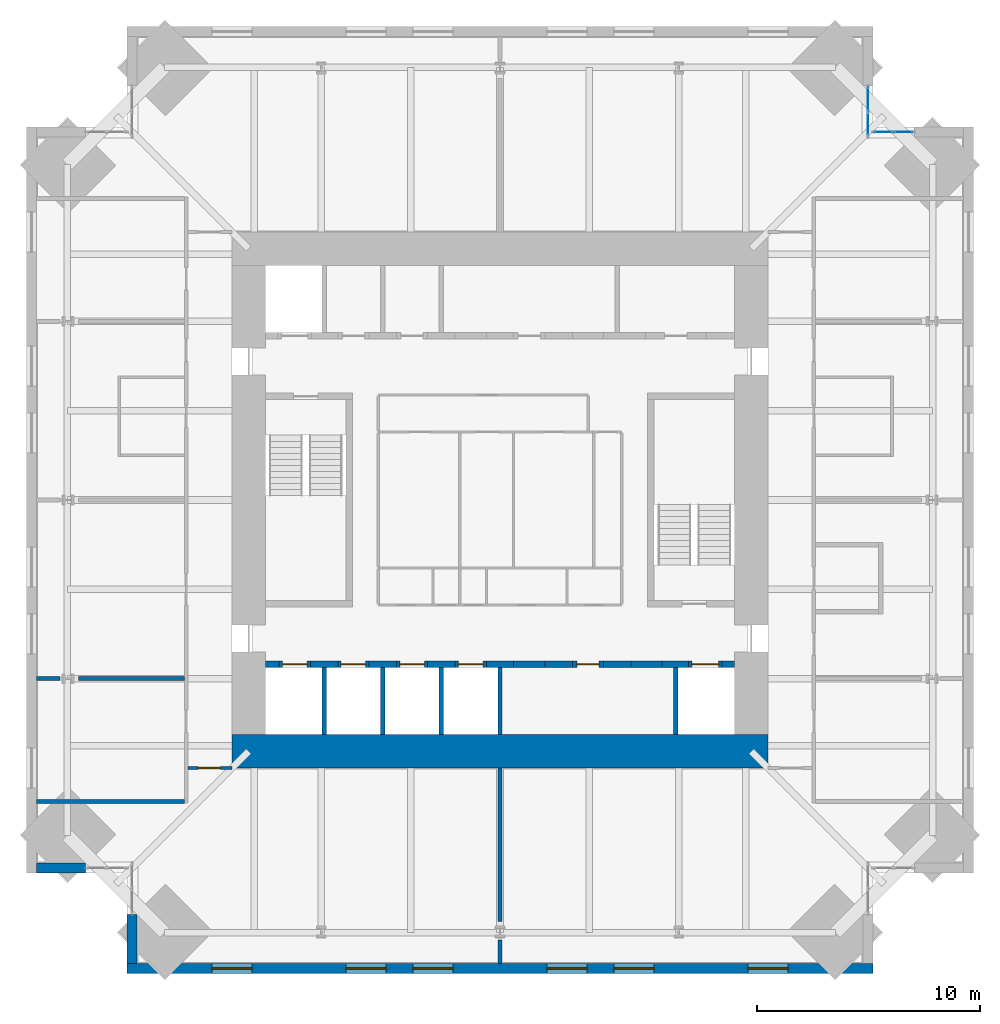
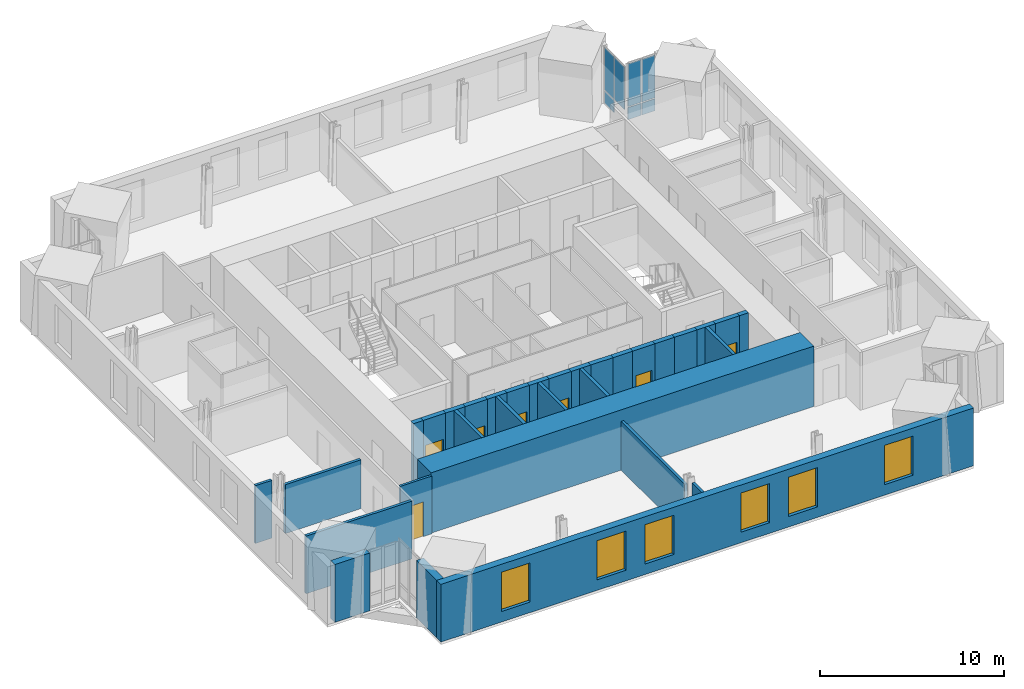
# One storey, part 10 of 15: 32 walls, 7 doors, 7 plates, 6 windows, 13 openings, 2 elements without a shape of their own.
"""IFC4 building model written with IfcOpenShell, lengths in metres."""

import ifcopenshell
import ifcopenshell.guid

model = None  # the IFC model being written
_history = None  # IfcOwnerHistory: only IFC2X3 demands one
_inside = {}  # id of a spatial element -> (the spatial element, [elements in it])
_under = {}  # id of a project, library or spatial element -> (it, [spatial elements below it])
_declared = {}  # id of a project -> (the project, [libraries it declares])
_typed = {}  # id of a type object -> (the type object, [elements of that type])
_made_of = {}  # id of a material, layer set ... -> (it, [elements and type objects made of it])


def new_model(schema):
    """Start an empty IFC model of exactly this schema.

    Asked for "IFC4X3", IfcOpenShell would pick the latest addendum, in which some entities
    have other attributes; the version numbers below select the first issue.
    IFC2X3 requires an IfcOwnerHistory on every rooted entity: one is made here for all.
    """
    global model, _history
    if schema == "IFC4X3":
        model = ifcopenshell.file(schema_version=(4, 3, 0, 0))
    else:
        model = ifcopenshell.file(schema=schema)
    _inside.clear()
    _under.clear()
    _declared.clear()
    _typed.clear()
    _made_of.clear()
    _history = None
    if model.schema == "IFC2X3":
        org = make("IfcOrganization", Name="unknown")
        user = make(
            "IfcPersonAndOrganization",
            ThePerson=make("IfcPerson", FamilyName="unknown"),
            TheOrganization=org,
        )
        app = make(
            "IfcApplication",
            ApplicationDeveloper=org,
            Version="unknown",
            ApplicationFullName="unknown",
            ApplicationIdentifier="unknown",
        )
        _history = make(
            "IfcOwnerHistory",
            OwningUser=user,
            OwningApplication=app,
            ChangeAction="ADDED",
            CreationDate=0,
        )
    return model


def make(cls, **values):
    """One entity of the class cls with the attributes given. An attribute that is None is left unset."""
    return model.create_entity(
        cls, **{name: value for name, value in values.items() if value is not None}
    )


def rooted(cls, **values):
    """An entity with a GlobalId (a new one), such as an element, a storey or a relation."""
    return make(cls, GlobalId=ifcopenshell.guid.new(), OwnerHistory=_history, **values)


def si_unit(unit_type, name, prefix=None):
    """IfcSIUnit, for example si_unit("LENGTHUNIT", "METRE", prefix="MILLI")."""
    return make("IfcSIUnit", UnitType=unit_type, Prefix=prefix, Name=name)


def assignment(units):
    """IfcUnitAssignment: the units of a project."""
    return None if units is None else make("IfcUnitAssignment", Units=units)


def point(xyz):
    """IfcCartesianPoint."""
    return None if xyz is None else make("IfcCartesianPoint", Coordinates=xyz)


def direction(xyz):
    """IfcDirection."""
    return None if xyz is None else make("IfcDirection", DirectionRatios=xyz)


def frame(location, z_axis=None, x_axis=None):
    """IfcAxis2Placement3D, a coordinate frame: its origin and axes. An axis left out is left unset."""
    return make(
        "IfcAxis2Placement3D",
        Location=point(location),
        Axis=direction(z_axis),
        RefDirection=direction(x_axis),
    )


def frame_2d(location, x_axis=None):
    """IfcAxis2Placement2D, a coordinate frame in the plane: its origin and x axis."""
    return make(
        "IfcAxis2Placement2D", Location=point(location), RefDirection=direction(x_axis)
    )


def origin():
    """The frame at (0, 0, 0) with its axes left unset."""
    return frame((0.0, 0.0, 0.0))


def origin_2d():
    """The frame at (0, 0) in the plane with its x axis left unset."""
    return frame_2d((0.0, 0.0))


def place(relative_to, where):
    """IfcLocalPlacement: puts the frame where relative to a parent placement (None: the world)."""
    return make(
        "IfcLocalPlacement", PlacementRelTo=relative_to, RelativePlacement=where
    )


def context(
    kind, dimensions, precision=None, world=None, true_north=None, identifier=None
):
    """IfcGeometricRepresentationContext, for example the 3D "Model" context."""
    return make(
        "IfcGeometricRepresentationContext",
        ContextIdentifier=identifier,
        ContextType=kind,
        CoordinateSpaceDimension=dimensions,
        Precision=precision,
        WorldCoordinateSystem=world,
        TrueNorth=true_north,
    )


def subcontext(parent, identifier, kind, view, scale=None):
    """IfcGeometricRepresentationSubContext, for example "Body" below "Model"."""
    return make(
        "IfcGeometricRepresentationSubContext",
        ContextIdentifier=identifier,
        ContextType=kind,
        ParentContext=parent,
        TargetScale=scale,
        TargetView=view,
    )


def project(units=None, contexts=None):
    """IfcProject with its units and contexts."""
    return rooted(
        "IfcProject",
        Name="project",
        RepresentationContexts=contexts,
        UnitsInContext=assignment(units),
    )


def spatial(cls, under=None, at=None, **own):
    """A site, building, storey or space (cls), placed at a placement, below another one or the project."""
    s = rooted(cls, ObjectPlacement=at, **own)
    if under is not None:
        _under.setdefault(under.id(), (under, []))[1].append(s)
    return s


def profile(cls, at=None, kind="AREA", **sizes):
    """A parametric profile (cls). Its sizes go by their IFC names, for example OverallWidth=200.0."""
    return make(cls, ProfileType=kind, Position=at, **sizes)


def rectangle(**sizes):
    """IfcRectangleProfileDef."""
    return profile("IfcRectangleProfileDef", **sizes)


def extrude(swept, where, along, depth):
    """IfcExtrudedAreaSolid: the profile swept, set in the frame where, extruded along a direction by depth."""
    return make(
        "IfcExtrudedAreaSolid",
        SweptArea=swept,
        Position=where,
        ExtrudedDirection=direction(along),
        Depth=depth,
    )


def shape(context_of_items, identifier, shape_type, items):
    """IfcShapeRepresentation: the items that make up one representation, for example the "Body"."""
    return make(
        "IfcShapeRepresentation",
        ContextOfItems=context_of_items,
        RepresentationIdentifier=identifier,
        RepresentationType=shape_type,
        Items=items,
    )


def material(Name=None, Category=None):
    """IfcMaterial."""
    return make("IfcMaterial", Name=Name, Category=Category)


def layer(
    of_material, thickness, ventilated=None, Name=None, Category=None, Priority=None
):
    """IfcMaterialLayer: one layer of a wall or slab, of a material (None: an air gap)."""
    return make(
        "IfcMaterialLayer",
        Material=of_material,
        LayerThickness=thickness,
        IsVentilated=ventilated,
        Name=Name,
        Category=Category,
        Priority=Priority,
    )


def layer_set(layers, Name=None):
    """IfcMaterialLayerSet."""
    return make("IfcMaterialLayerSet", MaterialLayers=layers, LayerSetName=Name)


def made_of(thing, what):
    """Note that an element or type object is made of a material, layer set ...; save() writes the relation."""
    if what is not None:
        _made_of.setdefault(what.id(), (what, []))[1].append(thing)
    return thing


def type_object(cls, material=None, **own):
    """A type object (cls), such as IfcWallType, which elements share."""
    return made_of(rooted(cls, **own), material)


def element(
    cls,
    number,
    at=None,
    inside=None,
    cuts=None,
    type_object=None,
    material=None,
    context=None,
    identifier="Body",
    shape_type=None,
    held_by="IfcProductDefinitionShape",
    body=None,
    shapes=None,
    **own,
):
    """One element of the class cls, such as IfcWall. Its Tag is "e" and its number.

    at: its placement. inside: the storey or other place that contains it. cuts: it is an
    opening in that element (IfcRelVoidsElement). A single representation is given by context,
    identifier, shape_type and body (its items); several are given by shapes. held_by: the class
    of the entity that holds the representations. save() writes the other relations.
    """
    e = rooted(cls, Tag="e%d" % number, ObjectPlacement=at, **own)
    if body is not None:
        shapes = [shape(context, identifier, shape_type, body)]
    if shapes is not None:
        e.Representation = make(held_by, Representations=shapes)
    if inside is not None:
        _inside.setdefault(inside.id(), (inside, []))[1].append(e)
    if cuts is not None:
        rooted(
            "IfcRelVoidsElement", RelatingBuildingElement=cuts, RelatedOpeningElement=e
        )
    if type_object is not None:
        _typed.setdefault(type_object.id(), (type_object, []))[1].append(e)
    return made_of(e, material)


def fill(opening, filler):
    """IfcRelFillsElement: the door or window that sits in an opening."""
    return rooted(
        "IfcRelFillsElement",
        RelatingOpeningElement=opening,
        RelatedBuildingElement=filler,
    )


def aggregate(whole, parts):
    """IfcRelAggregates: a whole, such as a stair, and the parts it consists of."""
    return rooted("IfcRelAggregates", RelatingObject=whole, RelatedObjects=parts)


def save(model, path):
    """Write the relations noted so far, then the file.

    IfcRelAggregates (storeys below a building ...), IfcRelContainedInSpatialStructure (elements
    in a storey), IfcRelDefinesByType, IfcRelAssociatesMaterial and IfcRelDeclares: one each for
    every whole, place, type object, material and project.
    """
    for whole, parts in _under.values():
        aggregate(whole, parts)
    for where, things in _inside.values():
        rooted(
            "IfcRelContainedInSpatialStructure",
            RelatedElements=things,
            RelatingStructure=where,
        )
    for kind, things in _typed.values():
        rooted("IfcRelDefinesByType", RelatedObjects=things, RelatingType=kind)
    for what, things in _made_of.values():
        rooted("IfcRelAssociatesMaterial", RelatedObjects=things, RelatingMaterial=what)
    for by, libraries in _declared.values():
        rooted("IfcRelDeclares", RelatingContext=by, RelatedDefinitions=libraries)
    model.write(path)


model = new_model("IFC4")

# Units and contexts
model_context = context("Model", 3, precision=1e-05, world=origin(), true_north=direction((0.0, 1.0)))
body_context = subcontext(model_context, "Body", "Model", "MODEL_VIEW")
ifc_project = project(units=[si_unit("LENGTHUNIT", "METRE"), si_unit("AREAUNIT", "SQUARE_METRE"), si_unit("VOLUMEUNIT", "CUBIC_METRE"), si_unit("PLANEANGLEUNIT", "RADIAN"), si_unit("MASSUNIT", "GRAM", prefix="KILO")], contexts=[model_context])

# Site, building, storey
site_placement = place(None, origin())
site = spatial("IfcSite", under=ifc_project, at=site_placement, CompositionType="ELEMENT")
building_placement = place(site_placement, origin())
building = spatial("IfcBuilding", under=site, at=building_placement, Name="Peilmerk Tower", CompositionType="ELEMENT")
storey_placement = place(building_placement, frame((0.0, 0.0, 285.800048828125)))
storey = spatial("IfcBuildingStorey", under=building, at=storey_placement, Name="L64", CompositionType="ELEMENT", Elevation=285.800048828125)

# Curtain wall, plates
ifc_material_1 = material(Name="Aluminium stick curtain wall", Category="aluminium")
curtain_wall_type = type_object("IfcCurtainWallType", Name="CW4 stick curtain wall, 2250 module", PredefinedType="NOTDEFINED", material=ifc_material_1)
curtain_wall_1_placement = place(storey_placement, origin())
curtain_wall_1 = element("IfcCurtainWall", 1, at=curtain_wall_1_placement, inside=storey, type_object=curtain_wall_type, Name="Curtain wall CW4 NEA L64", PredefinedType="NOTDEFINED")
ifc_material_2 = material(Name="Clear insulated glazing unit", Category="glass")
ifc_layer_1 = layer(ifc_material_2, 0.028076171875)
ifc_layer_set_1 = layer_set([ifc_layer_1], Name="Clear insulated glazing unit")
plate_type = type_object("IfcPlateType", Name="CW4-P 28 glazed panel", PredefinedType="CURTAIN_PANEL", material=ifc_layer_set_1)
plate_1_placement = place(storey_placement, frame((16.47509765625, 16.83837890625, 0.932373046875), z_axis=(0.0, 0.0, 1.0), x_axis=(0.0, 1.0, 0.0)))
plate_1 = element("IfcPlate", 2, at=plate_1_placement, type_object=plate_type, Name="CW4 panel 1.2", PredefinedType="CURTAIN_PANEL", context=body_context, shape_type="SweptSolid", body=[
    extrude(rectangle(XDim=1.046875, YDim=0.028076171875, at=origin_2d()), origin(), (0.0, 0.0, 1.0), 2.83251953125),
])
plate_2_placement = place(storey_placement, frame((16.47509765625, 17.9501953125, 0.06494140625), z_axis=(0.0, 0.0, 1.0), x_axis=(0.0, 1.0, 0.0)))
plate_2 = element("IfcPlate", 3, at=plate_2_placement, type_object=plate_type, Name="CW4 panel 2.1", PredefinedType="CURTAIN_PANEL", context=body_context, shape_type="SweptSolid", body=[
    extrude(rectangle(XDim=1.046875, YDim=0.028076171875, at=origin_2d()), origin(), (0.0, 0.0, 1.0), 0.802490234375),
])
plate_3_placement = place(storey_placement, frame((16.47509765625, 17.9501953125, 0.932373046875), z_axis=(0.0, 0.0, 1.0), x_axis=(0.0, 1.0, 0.0)))
plate_3 = element("IfcPlate", 4, at=plate_3_placement, type_object=plate_type, Name="CW4 panel 2.2", PredefinedType="CURTAIN_PANEL", context=body_context, shape_type="SweptSolid", body=[
    extrude(rectangle(XDim=1.046875, YDim=0.028076171875, at=origin_2d()), origin(), (0.0, 0.0, 1.0), 2.83251953125),
])
aggregate(curtain_wall_1, [plate_1, plate_2, plate_3])

curtain_wall_2_placement = place(storey_placement, origin())
curtain_wall_2 = element("IfcCurtainWall", 5, at=curtain_wall_2_placement, inside=storey, type_object=curtain_wall_type, Name="Curtain wall CW4 NEB L64", PredefinedType="NOTDEFINED")
plate_4_placement = place(storey_placement, frame((17.176025390625, 16.47509765625, 0.06494140625), z_axis=(0.0, 0.0, 1.0), x_axis=(1.0, 0.0, 0.0)))
plate_4 = element("IfcPlate", 6, at=plate_4_placement, type_object=plate_type, Name="CW4 panel 1.1", PredefinedType="CURTAIN_PANEL", context=body_context, shape_type="SweptSolid", body=[
    extrude(rectangle(XDim=0.82177734375, YDim=0.028076171875, at=origin_2d()), origin(), (0.0, 0.0, 1.0), 0.802490234375),
])
plate_5_placement = place(storey_placement, frame((17.176025390625, 16.47509765625, 0.932373046875), z_axis=(0.0, 0.0, 1.0), x_axis=(1.0, 0.0, 0.0)))
plate_5 = element("IfcPlate", 7, at=plate_5_placement, type_object=plate_type, Name="CW4 panel 1.2", PredefinedType="CURTAIN_PANEL", context=body_context, shape_type="SweptSolid", body=[
    extrude(rectangle(XDim=0.82177734375, YDim=0.028076171875, at=origin_2d()), origin(), (0.0, 0.0, 1.0), 2.83251953125),
])
plate_6_placement = place(storey_placement, frame((18.062744140625, 16.47509765625, 0.06494140625), z_axis=(0.0, 0.0, 1.0), x_axis=(1.0, 0.0, 0.0)))
plate_6 = element("IfcPlate", 8, at=plate_6_placement, type_object=plate_type, Name="CW4 panel 2.1", PredefinedType="CURTAIN_PANEL", context=body_context, shape_type="SweptSolid", body=[
    extrude(rectangle(XDim=0.82177734375, YDim=0.028076171875, at=origin_2d()), origin(), (0.0, 0.0, 1.0), 0.802490234375),
])
plate_7_placement = place(storey_placement, frame((18.062744140625, 16.47509765625, 0.932373046875), z_axis=(0.0, 0.0, 1.0), x_axis=(1.0, 0.0, 0.0)))
plate_7 = element("IfcPlate", 9, at=plate_7_placement, type_object=plate_type, Name="CW4 panel 2.2", PredefinedType="CURTAIN_PANEL", context=body_context, shape_type="SweptSolid", body=[
    extrude(rectangle(XDim=0.82177734375, YDim=0.028076171875, at=origin_2d()), origin(), (0.0, 0.0, 1.0), 2.83251953125),
])
aggregate(curtain_wall_2, [plate_4, plate_5, plate_6, plate_7])

# Wall, openings, windows
ifc_material_3 = material(Name="Precast concrete C45/55, board-marked finish", Category="concrete")
ifc_layer_2 = layer(ifc_material_3, 0.449951171875)
ifc_layer_set_2 = layer_set([ifc_layer_2], Name="Precast concrete C45/55, board-marked finish")
wall_type_1 = type_object("IfcWallType", Name="EW1 450 precast concrete facade wall, board-marked", PredefinedType="SOLIDWALL", material=ifc_layer_set_2)
wall_1_placement = place(storey_placement, frame((-16.699951171875, -20.97509765625, 0.0), z_axis=(0.0, 0.0, 1.0), x_axis=(1.0, 0.0, 0.0)))
wall_1 = element("IfcWall", 10, at=wall_1_placement, inside=storey, type_object=wall_type_1, Name="Facade wall S L64", PredefinedType="SOLIDWALL", context=body_context, shape_type="SweptSolid", body=[
    extrude(rectangle(XDim=33.39990234375, YDim=0.449951171875, at=frame_2d((16.699951171875, 0.0))), origin(), (0.0, 0.0, 1.0), 3.829833984375),
])
opening_1_placement = place(wall_1_placement, frame((3.800048828125, 0.0, 0.699951171875)))
opening_1 = element("IfcOpeningElement", 11, at=opening_1_placement, cuts=wall_1, Name="Opening W1", PredefinedType="OPENING", context=body_context, shape_type="SweptSolid", body=[
    extrude(rectangle(XDim=1.800048828125, YDim=2.60009765625, at=frame_2d((0.89990234375, 1.300048828125))), frame((0.0, 0.23486328125, 0.0), z_axis=(0.0, -1.0, 0.0), x_axis=(1.0, 0.0, 0.0)), (0.0, 0.0, 1.0), 0.469970703125),
])
opening_2_placement = place(wall_1_placement, frame((9.800048828125, 0.0, 0.699951171875)))
opening_2 = element("IfcOpeningElement", 12, at=opening_2_placement, cuts=wall_1, Name="Opening W1", PredefinedType="OPENING", context=body_context, shape_type="SweptSolid", body=[
    extrude(rectangle(XDim=1.800048828125, YDim=2.60009765625, at=frame_2d((0.89990234375, 1.300048828125))), frame((0.0, 0.23486328125, 0.0), z_axis=(0.0, -1.0, 0.0), x_axis=(1.0, 0.0, 0.0)), (0.0, 0.0, 1.0), 0.469970703125),
])
opening_3_placement = place(wall_1_placement, frame((12.800048828125, 0.0, 0.699951171875)))
opening_3 = element("IfcOpeningElement", 13, at=opening_3_placement, cuts=wall_1, Name="Opening W1", PredefinedType="OPENING", context=body_context, shape_type="SweptSolid", body=[
    extrude(rectangle(XDim=1.800048828125, YDim=2.60009765625, at=frame_2d((0.89990234375, 1.300048828125))), frame((0.0, 0.23486328125, 0.0), z_axis=(0.0, -1.0, 0.0), x_axis=(1.0, 0.0, 0.0)), (0.0, 0.0, 1.0), 0.469970703125),
])
opening_4_placement = place(wall_1_placement, frame((18.800048828125, 0.0, 0.699951171875)))
opening_4 = element("IfcOpeningElement", 14, at=opening_4_placement, cuts=wall_1, Name="Opening W1", PredefinedType="OPENING", context=body_context, shape_type="SweptSolid", body=[
    extrude(rectangle(XDim=1.800048828125, YDim=2.60009765625, at=frame_2d((0.89990234375, 1.300048828125))), frame((0.0, 0.23486328125, 0.0), z_axis=(0.0, -1.0, 0.0), x_axis=(1.0, 0.0, 0.0)), (0.0, 0.0, 1.0), 0.469970703125),
])
opening_5_placement = place(wall_1_placement, frame((21.800048828125, 0.0, 0.699951171875)))
opening_5 = element("IfcOpeningElement", 15, at=opening_5_placement, cuts=wall_1, Name="Opening W1", PredefinedType="OPENING", context=body_context, shape_type="SweptSolid", body=[
    extrude(rectangle(XDim=1.800048828125, YDim=2.60009765625, at=frame_2d((0.89990234375, 1.300048828125))), frame((0.0, 0.23486328125, 0.0), z_axis=(0.0, -1.0, 0.0), x_axis=(1.0, 0.0, 0.0)), (0.0, 0.0, 1.0), 0.469970703125),
])
opening_6_placement = place(wall_1_placement, frame((27.800048828125, 0.0, 0.699951171875)))
opening_6 = element("IfcOpeningElement", 16, at=opening_6_placement, cuts=wall_1, Name="Opening W1", PredefinedType="OPENING", context=body_context, shape_type="SweptSolid", body=[
    extrude(rectangle(XDim=1.800048828125, YDim=2.60009765625, at=frame_2d((0.89990234375, 1.300048828125))), frame((0.0, 0.23486328125, 0.0), z_axis=(0.0, -1.0, 0.0), x_axis=(1.0, 0.0, 0.0)), (0.0, 0.0, 1.0), 0.469970703125),
])
ifc_material_4 = material(Name="Aluminium frame, clear double glazing", Category="aluminium")
window_type = type_object("IfcWindowType", Name="W1 1800x2600 office window", PartitioningType="SINGLE_PANEL", PredefinedType="WINDOW", material=ifc_material_4)
window_1_placement = place(opening_1_placement, origin())
window_1 = element("IfcWindow", 17, at=window_1_placement, inside=storey, type_object=window_type, Name="Window W1 L64", OverallHeight=2.60009765625, OverallWidth=1.800048828125, PartitioningType="SINGLE_PANEL", PredefinedType="WINDOW", context=body_context, shape_type="SweptSolid", body=[
    extrude(rectangle(XDim=1.800048828125, YDim=2.60009765625, at=frame_2d((0.89990234375, 1.300048828125))), frame((0.0, 0.030029296875, 0.0), z_axis=(0.0, -1.0, 0.0), x_axis=(1.0, 0.0, 0.0)), (0.0, 0.0, 1.0), 0.06005859375),
])
fill(opening_1, window_1)
window_2_placement = place(opening_2_placement, origin())
window_2 = element("IfcWindow", 18, at=window_2_placement, inside=storey, type_object=window_type, Name="Window W1 L64", OverallHeight=2.60009765625, OverallWidth=1.800048828125, PartitioningType="SINGLE_PANEL", PredefinedType="WINDOW", context=body_context, shape_type="SweptSolid", body=[
    extrude(rectangle(XDim=1.800048828125, YDim=2.60009765625, at=frame_2d((0.89990234375, 1.300048828125))), frame((0.0, 0.030029296875, 0.0), z_axis=(0.0, -1.0, 0.0), x_axis=(1.0, 0.0, 0.0)), (0.0, 0.0, 1.0), 0.06005859375),
])
fill(opening_2, window_2)
window_3_placement = place(opening_3_placement, origin())
window_3 = element("IfcWindow", 19, at=window_3_placement, inside=storey, type_object=window_type, Name="Window W1 L64", OverallHeight=2.60009765625, OverallWidth=1.800048828125, PartitioningType="SINGLE_PANEL", PredefinedType="WINDOW", context=body_context, shape_type="SweptSolid", body=[
    extrude(rectangle(XDim=1.800048828125, YDim=2.60009765625, at=frame_2d((0.89990234375, 1.300048828125))), frame((0.0, 0.030029296875, 0.0), z_axis=(0.0, -1.0, 0.0), x_axis=(1.0, 0.0, 0.0)), (0.0, 0.0, 1.0), 0.06005859375),
])
fill(opening_3, window_3)
window_4_placement = place(opening_4_placement, origin())
window_4 = element("IfcWindow", 20, at=window_4_placement, inside=storey, type_object=window_type, Name="Window W1 L64", OverallHeight=2.60009765625, OverallWidth=1.800048828125, PartitioningType="SINGLE_PANEL", PredefinedType="WINDOW", context=body_context, shape_type="SweptSolid", body=[
    extrude(rectangle(XDim=1.800048828125, YDim=2.60009765625, at=frame_2d((0.89990234375, 1.300048828125))), frame((0.0, 0.030029296875, 0.0), z_axis=(0.0, -1.0, 0.0), x_axis=(1.0, 0.0, 0.0)), (0.0, 0.0, 1.0), 0.06005859375),
])
fill(opening_4, window_4)
window_5_placement = place(opening_5_placement, origin())
window_5 = element("IfcWindow", 21, at=window_5_placement, inside=storey, type_object=window_type, Name="Window W1 L64", OverallHeight=2.60009765625, OverallWidth=1.800048828125, PartitioningType="SINGLE_PANEL", PredefinedType="WINDOW", context=body_context, shape_type="SweptSolid", body=[
    extrude(rectangle(XDim=1.800048828125, YDim=2.60009765625, at=frame_2d((0.89990234375, 1.300048828125))), frame((0.0, 0.030029296875, 0.0), z_axis=(0.0, -1.0, 0.0), x_axis=(1.0, 0.0, 0.0)), (0.0, 0.0, 1.0), 0.06005859375),
])
fill(opening_5, window_5)
window_6_placement = place(opening_6_placement, origin())
window_6 = element("IfcWindow", 22, at=window_6_placement, inside=storey, type_object=window_type, Name="Window W1 L64", OverallHeight=2.60009765625, OverallWidth=1.800048828125, PartitioningType="SINGLE_PANEL", PredefinedType="WINDOW", context=body_context, shape_type="SweptSolid", body=[
    extrude(rectangle(XDim=1.800048828125, YDim=2.60009765625, at=frame_2d((0.89990234375, 1.300048828125))), frame((0.0, 0.030029296875, 0.0), z_axis=(0.0, -1.0, 0.0), x_axis=(1.0, 0.0, 0.0)), (0.0, 0.0, 1.0), 0.06005859375),
])
fill(opening_6, window_6)

# Walls
for number, where, z_axis, x_axis, name in (
    (23, (-16.47509765625, -18.5537109375, 0.0), (0.0, 0.0, 1.0), (0.0, -1.0, 0.0), "Facade wall SWA L64"),
    (24, (-18.5537109375, -16.47509765625, 0.0), (0.0, 0.0, 1.0), (-1.0, 0.0, 0.0), "Facade wall SWB L64"),
):
    element("IfcWall", number, at=place(storey_placement, frame(where, z_axis=z_axis, x_axis=x_axis)), inside=storey, type_object=wall_type_1, Name=name, PredefinedType="SOLIDWALL", context=body_context, shape_type="SweptSolid", body=[
        extrude(rectangle(XDim=2.1962890625, YDim=0.449951171875, at=frame_2d((1.09814453125, 0.0))), origin(), (0.0, 0.0, 1.0), 3.829833984375),
    ])

# Wall, opening, door
ifc_material_5 = material(Name="Calcium silicate block", Category="masonry")
ifc_layer_3 = layer(ifc_material_5, 0.14990234375)
ifc_layer_set_3 = layer_set([ifc_layer_3], Name="Calcium silicate block")
wall_type_2 = type_object("IfcWallType", Name="IW1 150 corridor partition, EI 60", PredefinedType="PARTITIONING", material=ifc_layer_set_3)
wall_2_placement = place(storey_placement, frame((-12.0, -12.0, 0.0), z_axis=(0.0, 0.0, 1.0), x_axis=(-1.0, 0.0, 0.0)))
wall_2 = element("IfcWall", 25, at=wall_2_placement, inside=storey, type_object=wall_type_2, Name="Corridor wall SW L64", PredefinedType="PARTITIONING", context=body_context, shape_type="SweptSolid", body=[
    extrude(rectangle(XDim=1.97509765625, YDim=0.14990234375, at=frame_2d((0.987548828125, 0.0))), origin(), (0.0, 0.0, 1.0), 3.829833984375),
])
opening_7_placement = place(wall_2_placement, frame((0.52490234375, 0.0, 0.0)))
opening_7 = element("IfcOpeningElement", 26, at=opening_7_placement, cuts=wall_2, Name="Opening D1", PredefinedType="OPENING", context=body_context, shape_type="SweptSolid", body=[
    extrude(rectangle(XDim=1.0, YDim=2.300048828125, at=frame_2d((0.5, 1.14990234375))), frame((0.0, 0.0849609375, 0.0), z_axis=(0.0, -1.0, 0.0), x_axis=(1.0, 0.0, 0.0)), (0.0, 0.0, 1.0), 0.169921875),
])
ifc_material_6 = material(Name="Timber door in steel frame", Category="steel")
door_type_1 = type_object("IfcDoorType", Name="D1 1000x2300 room door, EI2 30", OperationType="SINGLE_SWING_LEFT", PredefinedType="DOOR", material=ifc_material_6)
door_1_placement = place(opening_7_placement, origin())
door_1 = element("IfcDoor", 27, at=door_1_placement, inside=storey, type_object=door_type_1, Name="Door Office L64", OperationType="SINGLE_SWING_LEFT", OverallHeight=2.300048828125, OverallWidth=1.0, PredefinedType="DOOR", context=body_context, shape_type="SweptSolid", body=[
    extrude(rectangle(XDim=1.0, YDim=2.300048828125, at=frame_2d((0.5, 1.14990234375))), frame((0.0, 0.02490234375, 0.0), z_axis=(0.0, -1.0, 0.0), x_axis=(1.0, 0.0, 0.0)), (0.0, 0.0, 1.0), 0.050048828125),
])
fill(opening_7, door_1)

# Walls
ifc_layer_4 = layer(ifc_material_5, 0.175048828125)
ifc_layer_set_4 = layer_set([ifc_layer_4], Name="Calcium silicate block")
wall_type_3 = type_object("IfcWallType", Name="IW8 175 tenant separating wall, EI 60", PredefinedType="PARTITIONING", material=ifc_layer_set_4)
wall_3_placement = place(storey_placement, frame((-14.125, -13.5, 0.0), z_axis=(0.0, 0.0, 1.0), x_axis=(-1.0, 0.0, 0.0)))
element("IfcWall", 28, at=wall_3_placement, inside=storey, type_object=wall_type_3, Name="Tenant separating wall SW L64", PredefinedType="PARTITIONING", context=body_context, shape_type="SweptSolid", body=[
    extrude(rectangle(XDim=6.625, YDim=0.175048828125, at=frame_2d((3.3125, 0.0))), origin(), (0.0, 0.0, 1.0), 3.829833984375),
])
wall_4_placement = place(storey_placement, frame((0.0, -12.0, 0.0), z_axis=(0.0, 0.0, 1.0), x_axis=(0.0, -1.0, 0.0)))
element("IfcWall", 29, at=wall_4_placement, inside=storey, type_object=wall_type_3, Name="Tenant separating wall S1 L64", PredefinedType="PARTITIONING", context=body_context, shape_type="SweptSolid", body=[
    extrude(rectangle(XDim=6.881591796875, YDim=0.175048828125, at=frame_2d((3.44091796875, 0.0))), origin(), (0.0, 0.0, 1.0), 3.239990234375),
])
wall_5_placement = place(storey_placement, frame((0.0, -19.7021484375, 0.0), z_axis=(0.0, 0.0, 1.0), x_axis=(0.0, -1.0, 0.0)))
element("IfcWall", 30, at=wall_5_placement, inside=storey, type_object=wall_type_3, Name="Tenant separating wall S1b L64", PredefinedType="PARTITIONING", context=body_context, shape_type="SweptSolid", body=[
    extrude(rectangle(XDim=1.0478515625, YDim=0.175048828125, at=frame_2d((0.52392578125, 0.0))), origin(), (0.0, 0.0, 1.0), 3.829833984375),
])
wall_6_placement = place(storey_placement, frame((-14.125, -8.0, 0.0), z_axis=(0.0, 0.0, 1.0), x_axis=(-1.0, 0.0, 0.0)))
element("IfcWall", 31, at=wall_6_placement, inside=storey, type_object=wall_type_3, Name="Tenant separating wall W1 L64", PredefinedType="PARTITIONING", context=body_context, shape_type="SweptSolid", body=[
    extrude(rectangle(XDim=4.756591796875, YDim=0.175048828125, at=frame_2d((2.37841796875, 0.0))), origin(), (0.0, 0.0, 1.0), 3.239990234375),
])
wall_7_placement = place(storey_placement, frame((-19.7021484375, -8.0, 0.0), z_axis=(0.0, 0.0, 1.0), x_axis=(-1.0, 0.0, 0.0)))
element("IfcWall", 32, at=wall_7_placement, inside=storey, type_object=wall_type_3, Name="Tenant separating wall W1b L64", PredefinedType="PARTITIONING", context=body_context, shape_type="SweptSolid", body=[
    extrude(rectangle(XDim=1.0478515625, YDim=0.175048828125, at=frame_2d((0.52392578125, 0.0))), origin(), (0.0, 0.0, 1.0), 3.829833984375),
])
ifc_layer_5 = layer(ifc_material_5, 0.199951171875)
ifc_layer_set_5 = layer_set([ifc_layer_5], Name="Calcium silicate block")
wall_type_4 = type_object("IfcWallType", Name="SH1 200 shaft dividing wall, EI 120", PredefinedType="PARTITIONING", material=ifc_layer_set_5)
for number, where, z_axis, x_axis, name in (
    (33, (-7.875, -10.5, 0.0), (0.0, 0.0, 1.0), (0.0, 1.0, 0.0), "Shaft wall S C4 L64"),
    (34, (-5.25, -10.5, 0.0), (0.0, 0.0, 1.0), (0.0, 1.0, 0.0), "Shaft wall S C3 L64"),
    (35, (-2.625, -10.5, 0.0), (0.0, 0.0, 1.0), (0.0, 1.0, 0.0), "Shaft wall S C2 L64"),
    (36, (0.0, -10.5, 0.0), (0.0, 0.0, 1.0), (0.0, 1.0, 0.0), "Shaft wall S C1 L64"),
    (37, (7.875, -10.5, 0.0), (0.0, 0.0, 1.0), (0.0, 1.0, 0.0), "Shaft wall S B1 L64"),
):
    element("IfcWall", number, at=place(storey_placement, frame(where, z_axis=z_axis, x_axis=x_axis)), inside=storey, type_object=wall_type_4, Name=name, PredefinedType="PARTITIONING", context=body_context, shape_type="SweptSolid", body=[
        extrude(rectangle(XDim=3.0, YDim=0.199951171875, at=frame_2d((1.5, 0.0))), origin(), (0.0, 0.0, 1.0), 4.0),
    ])

# Wall, opening, door
ifc_layer_6 = layer(ifc_material_5, 0.300048828125)
ifc_layer_set_6 = layer_set([ifc_layer_6], Name="Calcium silicate block")
wall_type_5 = type_object("IfcWallType", Name="SH2 300 lift landing door panel, EI 120", PredefinedType="PARTITIONING", material=ifc_layer_set_6)
wall_8_placement = place(storey_placement, frame((-9.887451171875, -7.35009765625, 0.0), z_axis=(0.0, 0.0, 1.0), x_axis=(1.0, 0.0, 0.0)))
wall_8 = element("IfcWall", 38, at=wall_8_placement, inside=storey, type_object=wall_type_5, Name="Lift door panel S C4 L64", PredefinedType="PARTITIONING", context=body_context, shape_type="SweptSolid", body=[
    extrude(rectangle(XDim=1.39990234375, YDim=0.300048828125, at=frame_2d((0.699951171875, 0.0))), origin(), (0.0, 0.0, 1.0), 4.0),
])
opening_8_placement = place(wall_8_placement, frame((0.14990234375, 0.0, 0.0)))
opening_8 = element("IfcOpeningElement", 39, at=opening_8_placement, cuts=wall_8, Name="Opening LD1", PredefinedType="OPENING", context=body_context, shape_type="SweptSolid", body=[
    extrude(rectangle(XDim=1.10009765625, YDim=2.300048828125, at=frame_2d((0.550048828125, 1.14990234375))), frame((0.0, 0.159912109375, 0.0), z_axis=(0.0, -1.0, 0.0), x_axis=(1.0, 0.0, 0.0)), (0.0, 0.0, 1.0), 0.320068359375),
])
ifc_material_7 = material(Name="Stainless steel landing door", Category="steel")
door_type_2 = type_object("IfcDoorType", Name="LD1 1100x2300 lift landing door, sliding, EI2 60", OperationType="SLIDING_TO_LEFT", PredefinedType="DOOR", material=ifc_material_7)
door_2_placement = place(opening_8_placement, origin())
door_2 = element("IfcDoor", 40, at=door_2_placement, inside=storey, type_object=door_type_2, Name="Lift landing door C4 L64", OperationType="SLIDING_TO_LEFT", OverallHeight=2.300048828125, OverallWidth=1.10009765625, PredefinedType="DOOR", context=body_context, shape_type="SweptSolid", body=[
    extrude(rectangle(XDim=1.10009765625, YDim=2.300048828125, at=frame_2d((0.550048828125, 1.14990234375))), frame((0.0, 0.02490234375, 0.0), z_axis=(0.0, -1.0, 0.0), x_axis=(1.0, 0.0, 0.0)), (0.0, 0.0, 1.0), 0.050048828125),
])
fill(opening_8, door_2)

wall_9_placement = place(storey_placement, frame((-7.262451171875, -7.35009765625, 0.0), z_axis=(0.0, 0.0, 1.0), x_axis=(1.0, 0.0, 0.0)))
wall_9 = element("IfcWall", 41, at=wall_9_placement, inside=storey, type_object=wall_type_5, Name="Lift door panel S C3 L64", PredefinedType="PARTITIONING", context=body_context, shape_type="SweptSolid", body=[
    extrude(rectangle(XDim=1.39990234375, YDim=0.300048828125, at=frame_2d((0.699951171875, 0.0))), origin(), (0.0, 0.0, 1.0), 4.0),
])
opening_9_placement = place(wall_9_placement, frame((0.14990234375, 0.0, 0.0)))
opening_9 = element("IfcOpeningElement", 42, at=opening_9_placement, cuts=wall_9, Name="Opening LD1", PredefinedType="OPENING", context=body_context, shape_type="SweptSolid", body=[
    extrude(rectangle(XDim=1.10009765625, YDim=2.300048828125, at=frame_2d((0.550048828125, 1.14990234375))), frame((0.0, 0.159912109375, 0.0), z_axis=(0.0, -1.0, 0.0), x_axis=(1.0, 0.0, 0.0)), (0.0, 0.0, 1.0), 0.320068359375),
])
door_3_placement = place(opening_9_placement, origin())
door_3 = element("IfcDoor", 43, at=door_3_placement, inside=storey, type_object=door_type_2, Name="Lift landing door C3 L64", OperationType="SLIDING_TO_LEFT", OverallHeight=2.300048828125, OverallWidth=1.10009765625, PredefinedType="DOOR", context=body_context, shape_type="SweptSolid", body=[
    extrude(rectangle(XDim=1.10009765625, YDim=2.300048828125, at=frame_2d((0.550048828125, 1.14990234375))), frame((0.0, 0.02490234375, 0.0), z_axis=(0.0, -1.0, 0.0), x_axis=(1.0, 0.0, 0.0)), (0.0, 0.0, 1.0), 0.050048828125),
])
fill(opening_9, door_3)

wall_10_placement = place(storey_placement, frame((-4.637451171875, -7.35009765625, 0.0), z_axis=(0.0, 0.0, 1.0), x_axis=(1.0, 0.0, 0.0)))
wall_10 = element("IfcWall", 44, at=wall_10_placement, inside=storey, type_object=wall_type_5, Name="Lift door panel S C2 L64", PredefinedType="PARTITIONING", context=body_context, shape_type="SweptSolid", body=[
    extrude(rectangle(XDim=1.39990234375, YDim=0.300048828125, at=frame_2d((0.699951171875, 0.0))), origin(), (0.0, 0.0, 1.0), 4.0),
])
opening_10_placement = place(wall_10_placement, frame((0.14990234375, 0.0, 0.0)))
opening_10 = element("IfcOpeningElement", 45, at=opening_10_placement, cuts=wall_10, Name="Opening LD1", PredefinedType="OPENING", context=body_context, shape_type="SweptSolid", body=[
    extrude(rectangle(XDim=1.10009765625, YDim=2.300048828125, at=frame_2d((0.550048828125, 1.14990234375))), frame((0.0, 0.159912109375, 0.0), z_axis=(0.0, -1.0, 0.0), x_axis=(1.0, 0.0, 0.0)), (0.0, 0.0, 1.0), 0.320068359375),
])
door_4_placement = place(opening_10_placement, origin())
door_4 = element("IfcDoor", 46, at=door_4_placement, inside=storey, type_object=door_type_2, Name="Lift landing door C2 L64", OperationType="SLIDING_TO_LEFT", OverallHeight=2.300048828125, OverallWidth=1.10009765625, PredefinedType="DOOR", context=body_context, shape_type="SweptSolid", body=[
    extrude(rectangle(XDim=1.10009765625, YDim=2.300048828125, at=frame_2d((0.550048828125, 1.14990234375))), frame((0.0, 0.02490234375, 0.0), z_axis=(0.0, -1.0, 0.0), x_axis=(1.0, 0.0, 0.0)), (0.0, 0.0, 1.0), 0.050048828125),
])
fill(opening_10, door_4)

wall_11_placement = place(storey_placement, frame((-2.012451171875, -7.35009765625, 0.0), z_axis=(0.0, 0.0, 1.0), x_axis=(1.0, 0.0, 0.0)))
wall_11 = element("IfcWall", 47, at=wall_11_placement, inside=storey, type_object=wall_type_5, Name="Lift door panel S C1 L64", PredefinedType="PARTITIONING", context=body_context, shape_type="SweptSolid", body=[
    extrude(rectangle(XDim=1.39990234375, YDim=0.300048828125, at=frame_2d((0.699951171875, 0.0))), origin(), (0.0, 0.0, 1.0), 4.0),
])
opening_11_placement = place(wall_11_placement, frame((0.14990234375, 0.0, 0.0)))
opening_11 = element("IfcOpeningElement", 48, at=opening_11_placement, cuts=wall_11, Name="Opening LD1", PredefinedType="OPENING", context=body_context, shape_type="SweptSolid", body=[
    extrude(rectangle(XDim=1.10009765625, YDim=2.300048828125, at=frame_2d((0.550048828125, 1.14990234375))), frame((0.0, 0.159912109375, 0.0), z_axis=(0.0, -1.0, 0.0), x_axis=(1.0, 0.0, 0.0)), (0.0, 0.0, 1.0), 0.320068359375),
])
door_5_placement = place(opening_11_placement, origin())
door_5 = element("IfcDoor", 49, at=door_5_placement, inside=storey, type_object=door_type_2, Name="Lift landing door C1 L64", OperationType="SLIDING_TO_LEFT", OverallHeight=2.300048828125, OverallWidth=1.10009765625, PredefinedType="DOOR", context=body_context, shape_type="SweptSolid", body=[
    extrude(rectangle(XDim=1.10009765625, YDim=2.300048828125, at=frame_2d((0.550048828125, 1.14990234375))), frame((0.0, 0.02490234375, 0.0), z_axis=(0.0, -1.0, 0.0), x_axis=(1.0, 0.0, 0.0)), (0.0, 0.0, 1.0), 0.050048828125),
])
fill(opening_11, door_5)

# Wall
wall_12_placement = place(storey_placement, frame((0.612548828125, -7.35009765625, 0.0), z_axis=(0.0, 0.0, 1.0), x_axis=(1.0, 0.0, 0.0)))
element("IfcWall", 50, at=wall_12_placement, inside=storey, type_object=wall_type_5, Name="Lift door panel S B3 L64", PredefinedType="PARTITIONING", context=body_context, shape_type="SweptSolid", body=[
    extrude(rectangle(XDim=1.39990234375, YDim=0.300048828125, at=frame_2d((0.699951171875, 0.0))), origin(), (0.0, 0.0, 1.0), 4.0),
])

# Wall, opening, door
wall_13_placement = place(storey_placement, frame((3.237548828125, -7.35009765625, 0.0), z_axis=(0.0, 0.0, 1.0), x_axis=(1.0, 0.0, 0.0)))
wall_13 = element("IfcWall", 51, at=wall_13_placement, inside=storey, type_object=wall_type_5, Name="Lift door panel S B2 L64", PredefinedType="PARTITIONING", context=body_context, shape_type="SweptSolid", body=[
    extrude(rectangle(XDim=1.39990234375, YDim=0.300048828125, at=frame_2d((0.699951171875, 0.0))), origin(), (0.0, 0.0, 1.0), 4.0),
])
opening_12_placement = place(wall_13_placement, frame((0.199951171875, 0.0, 0.0)))
opening_12 = element("IfcOpeningElement", 52, at=opening_12_placement, cuts=wall_13, Name="Opening D10", PredefinedType="OPENING", context=body_context, shape_type="SweptSolid", body=[
    extrude(rectangle(XDim=1.0, YDim=2.300048828125, at=frame_2d((0.5, 1.14990234375))), frame((0.0, 0.159912109375, 0.0), z_axis=(0.0, -1.0, 0.0), x_axis=(1.0, 0.0, 0.0)), (0.0, 0.0, 1.0), 0.320068359375),
])
ifc_material_8 = material(Name="Steel door in steel frame", Category="steel")
door_type_3 = type_object("IfcDoorType", Name="D10 1000x2300 core room door, EI2 60", OperationType="SINGLE_SWING_RIGHT", PredefinedType="DOOR", material=ifc_material_8)
door_6_placement = place(opening_12_placement, frame((1.0, 0.0, 0.0), z_axis=(0.0, 0.0, 1.0), x_axis=(-1.0, 0.0, 0.0)))
door_6 = element("IfcDoor", 53, at=door_6_placement, inside=storey, type_object=door_type_3, Name="Door Staff room L64", OperationType="SINGLE_SWING_RIGHT", OverallHeight=2.300048828125, OverallWidth=1.0, PredefinedType="DOOR", context=body_context, shape_type="SweptSolid", body=[
    extrude(rectangle(XDim=1.0, YDim=2.300048828125, at=frame_2d((0.5, 1.14990234375))), frame((0.0, 0.02490234375, 0.0), z_axis=(0.0, -1.0, 0.0), x_axis=(1.0, 0.0, 0.0)), (0.0, 0.0, 1.0), 0.050048828125),
])
fill(opening_12, door_6)

# Wall
wall_14_placement = place(storey_placement, frame((5.862548828125, -7.35009765625, 0.0), z_axis=(0.0, 0.0, 1.0), x_axis=(1.0, 0.0, 0.0)))
element("IfcWall", 54, at=wall_14_placement, inside=storey, type_object=wall_type_5, Name="Lift door panel S B1 L64", PredefinedType="PARTITIONING", context=body_context, shape_type="SweptSolid", body=[
    extrude(rectangle(XDim=1.39990234375, YDim=0.300048828125, at=frame_2d((0.699951171875, 0.0))), origin(), (0.0, 0.0, 1.0), 4.0),
])

# Wall, opening, door
wall_15_placement = place(storey_placement, frame((8.4375, -7.35009765625, 0.0), z_axis=(0.0, 0.0, 1.0), x_axis=(1.0, 0.0, 0.0)))
wall_15 = element("IfcWall", 55, at=wall_15_placement, inside=storey, type_object=wall_type_5, Name="Lift door panel S FL2 L64", PredefinedType="PARTITIONING", context=body_context, shape_type="SweptSolid", body=[
    extrude(rectangle(XDim=1.5, YDim=0.300048828125, at=frame_2d((0.75, 0.0))), origin(), (0.0, 0.0, 1.0), 4.0),
])
opening_13_placement = place(wall_15_placement, frame((0.14990234375, 0.0, 0.0)))
opening_13 = element("IfcOpeningElement", 56, at=opening_13_placement, cuts=wall_15, Name="Opening LD2", PredefinedType="OPENING", context=body_context, shape_type="SweptSolid", body=[
    extrude(rectangle(XDim=1.199951171875, YDim=2.300048828125, at=frame_2d((0.60009765625, 1.14990234375))), frame((0.0, 0.159912109375, 0.0), z_axis=(0.0, -1.0, 0.0), x_axis=(1.0, 0.0, 0.0)), (0.0, 0.0, 1.0), 0.320068359375),
])
door_type_4 = type_object("IfcDoorType", Name="LD2 1200x2300 lift landing door, sliding, EI2 60", OperationType="SLIDING_TO_LEFT", PredefinedType="DOOR", material=ifc_material_7)
door_7_placement = place(opening_13_placement, origin())
door_7 = element("IfcDoor", 57, at=door_7_placement, inside=storey, type_object=door_type_4, Name="Lift landing door FL2 L64", OperationType="SLIDING_TO_LEFT", OverallHeight=2.300048828125, OverallWidth=1.199951171875, PredefinedType="DOOR", context=body_context, shape_type="SweptSolid", body=[
    extrude(rectangle(XDim=1.199951171875, YDim=2.300048828125, at=frame_2d((0.60009765625, 1.14990234375))), frame((0.0, 0.02490234375, 0.0), z_axis=(0.0, -1.0, 0.0), x_axis=(1.0, 0.0, 0.0)), (0.0, 0.0, 1.0), 0.050048828125),
])
fill(opening_13, door_7)

# Walls
ifc_material_9 = material(Name="Concrete C55/67", Category="concrete")
ifc_layer_7 = layer(ifc_material_9, 1.5)
ifc_layer_set_7 = layer_set([ifc_layer_7], Name="Concrete C55/67")
wall_type_6 = type_object("IfcWallType", Name="SW1 1500 core wall", PredefinedType="SHEAR", material=ifc_layer_set_7)
wall_16_placement = place(storey_placement, frame((12.0, -11.25, 0.0), z_axis=(0.0, 0.0, 1.0), x_axis=(-1.0, 0.0, 0.0)))
element("IfcWall", 58, at=wall_16_placement, inside=storey, type_object=wall_type_6, Name="Core wall S L64", PredefinedType="SHEAR", context=body_context, shape_type="SweptSolid", body=[
    extrude(rectangle(XDim=24.0, YDim=1.5, at=frame_2d((12.0, 0.0))), origin(), (0.0, 0.0, 1.0), 4.0),
])
ifc_layer_8 = layer(ifc_material_9, 0.300048828125)
ifc_layer_set_8 = layer_set([ifc_layer_8], Name="Concrete C55/67")
wall_type_7 = type_object("IfcWallType", Name="SW2 300 lift bank pier", PredefinedType="SHEAR", material=ifc_layer_set_8)
wall_17_placement = place(storey_placement, frame((-10.5, -7.35009765625, 0.0), z_axis=(0.0, 0.0, 1.0), x_axis=(1.0, 0.0, 0.0)))
element("IfcWall", 59, at=wall_17_placement, inside=storey, type_object=wall_type_7, Name="Lift bank pier S L64", PredefinedType="SHEAR", context=body_context, shape_type="SweptSolid", body=[
    extrude(rectangle(XDim=0.612548828125, YDim=0.300048828125, at=frame_2d((0.30615234375, 0.0))), origin(), (0.0, 0.0, 1.0), 4.0),
])
for number, where, z_axis, x_axis, name in (
    (60, (-8.487548828125, -7.35009765625, 0.0), (0.0, 0.0, 1.0), (1.0, 0.0, 0.0), "Lift bank pier S L64"),
    (61, (-5.862548828125, -7.35009765625, 0.0), (0.0, 0.0, 1.0), (1.0, 0.0, 0.0), "Lift bank pier S L64"),
    (62, (-3.237548828125, -7.35009765625, 0.0), (0.0, 0.0, 1.0), (1.0, 0.0, 0.0), "Lift bank pier S L64"),
    (63, (-0.612548828125, -7.35009765625, 0.0), (0.0, 0.0, 1.0), (1.0, 0.0, 0.0), "Lift bank pier S L64"),
    (64, (2.012451171875, -7.35009765625, 0.0), (0.0, 0.0, 1.0), (1.0, 0.0, 0.0), "Lift bank pier S L64"),
    (65, (4.637451171875, -7.35009765625, 0.0), (0.0, 0.0, 1.0), (1.0, 0.0, 0.0), "Lift bank pier S L64"),
):
    element("IfcWall", number, at=place(storey_placement, frame(where, z_axis=z_axis, x_axis=x_axis)), inside=storey, type_object=wall_type_7, Name=name, PredefinedType="SHEAR", context=body_context, shape_type="SweptSolid", body=[
        extrude(rectangle(XDim=1.22509765625, YDim=0.300048828125, at=frame_2d((0.612548828125, 0.0))), origin(), (0.0, 0.0, 1.0), 4.0),
    ])
wall_18_placement = place(storey_placement, frame((7.262451171875, -7.35009765625, 0.0), z_axis=(0.0, 0.0, 1.0), x_axis=(1.0, 0.0, 0.0)))
element("IfcWall", 66, at=wall_18_placement, inside=storey, type_object=wall_type_7, Name="Lift bank pier S L64", PredefinedType="SHEAR", context=body_context, shape_type="SweptSolid", body=[
    extrude(rectangle(XDim=1.175048828125, YDim=0.300048828125, at=frame_2d((0.58740234375, 0.0))), origin(), (0.0, 0.0, 1.0), 4.0),
])
wall_19_placement = place(storey_placement, frame((9.9375, -7.35009765625, 0.0), z_axis=(0.0, 0.0, 1.0), x_axis=(1.0, 0.0, 0.0)))
element("IfcWall", 67, at=wall_19_placement, inside=storey, type_object=wall_type_7, Name="Lift bank pier S L64", PredefinedType="SHEAR", context=body_context, shape_type="SweptSolid", body=[
    extrude(rectangle(XDim=0.5625, YDim=0.300048828125, at=frame_2d((0.28125, 0.0))), origin(), (0.0, 0.0, 1.0), 4.0),
])

save(model, "model.ifc")
